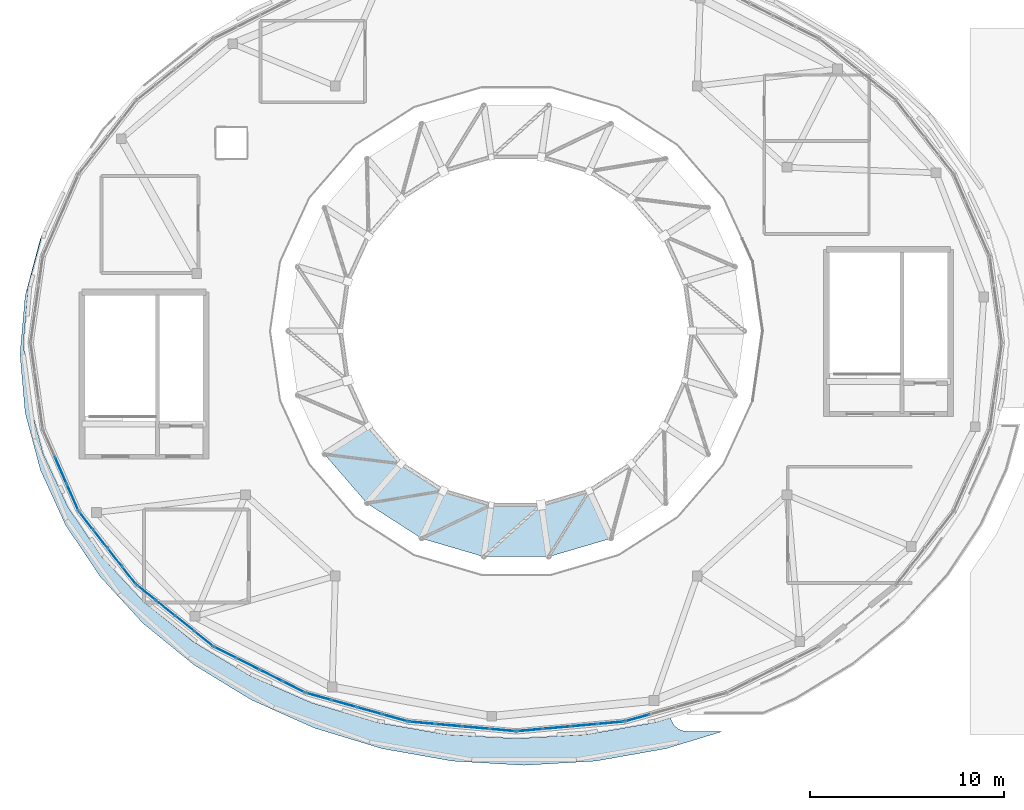
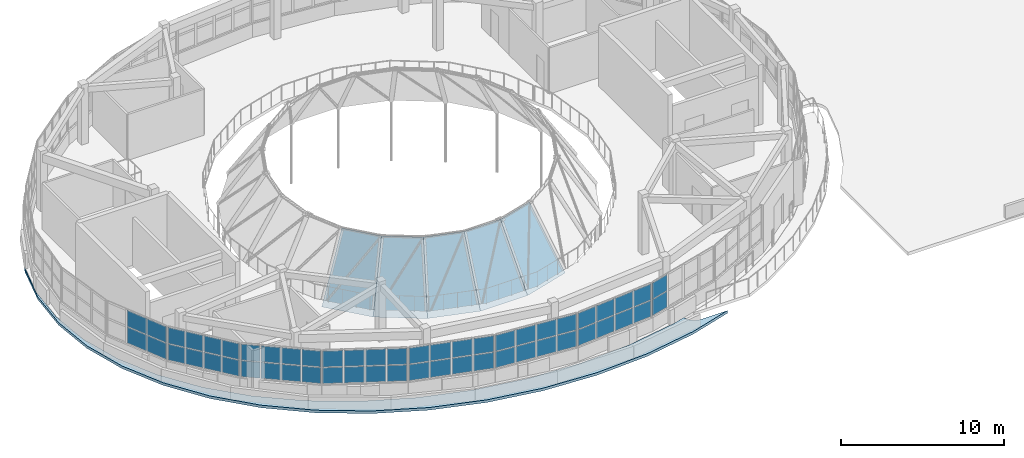
# One storey, part 29 of 38: 59 plates, 1 slab, 8 elements without a shape of their own.
"""IFC4 building model written with IfcOpenShell, lengths in metres."""

from ifc_helpers import new_model, si_unit, direction, frame, origin, origin_2d, place, context, subcontext, project, spatial, polyline, rectangle, outline, extrude, material, layer, layer_set, type_object, element, aggregate, save


model = new_model("IFC4")

# Units and contexts
model_context = context("Model", 3, precision=1e-05, world=origin(), true_north=direction((0.0, 1.0)))
body_context = subcontext(model_context, "Body", "Model", "MODEL_VIEW")
ifc_project = project(units=[si_unit("LENGTHUNIT", "METRE"), si_unit("AREAUNIT", "SQUARE_METRE"), si_unit("VOLUMEUNIT", "CUBIC_METRE"), si_unit("PLANEANGLEUNIT", "RADIAN"), si_unit("MASSUNIT", "GRAM", prefix="KILO")], contexts=[model_context])

# Site, building, storey
site_placement = place(None, origin())
site = spatial("IfcSite", under=ifc_project, at=site_placement, CompositionType="ELEMENT")
building_placement = place(site_placement, origin())
building = spatial("IfcBuilding", under=site, at=building_placement, Name="Pelvatis Terrace Science Centre", CompositionType="ELEMENT")
storey_placement = place(building_placement, frame((0.0, 0.0, 24.300048828125)))
storey = spatial("IfcBuildingStorey", under=building, at=storey_placement, Name="L05", CompositionType="ELEMENT", Elevation=24.300048828125)

# Curtain wall, plates
ifc_material_1 = material(Name="Bronze-anodised aluminium and laminated glass", Category="aluminium")
ifc_layer_1 = layer(ifc_material_1, 0.179931640625)
ifc_layer_set_1 = layer_set([ifc_layer_1], Name="Bronze-anodised aluminium and laminated glass")
curtain_wall_type = type_object("IfcCurtainWallType", Name="CW-RIBBON-A", PredefinedType="NOTDEFINED", material=ifc_layer_set_1)
curtain_wall_1_placement = place(storey_placement, origin())
curtain_wall_1 = element("IfcCurtainWall", 1, at=curtain_wall_1_placement, inside=storey, type_object=curtain_wall_type, Name="Ribbon curtain wall CW-252 (L05)", PredefinedType="NOTDEFINED")
ifc_material_2 = material(Name="Low-e laminated solar-control double glazing", Category="glass")
ifc_layer_2 = layer(ifc_material_2, 0.035888671875)
ifc_layer_set_2 = layer_set([ifc_layer_2], Name="Low-e laminated solar-control double glazing")
plate_type_1 = type_object("IfcPlateType", Name="CWP-IGU-36", PredefinedType="CURTAIN_PANEL", material=ifc_layer_set_2)
plate_1_placement = place(storey_placement, frame((85.704345703125, 78.61962890625, 1.080078125), z_axis=(0.0, 0.0, 1.0), x_axis=(0.400550007911, -0.916274899341, 0.0)))
plate_1 = element("IfcPlate", 2, at=plate_1_placement, type_object=plate_type_1, Name="CW-252 panel 2.1", PredefinedType="CURTAIN_PANEL", context=body_context, shape_type="SweptSolid", body=[
    extrude(rectangle(XDim=1.481689453125, YDim=0.035888671875, at=origin_2d()), origin(), (0.0, 0.0, 1.0), 1.18994140625),
])
plate_2_placement = place(storey_placement, frame((85.704345703125, 78.61962890625, 2.330078125), z_axis=(0.0, 0.0, 1.0), x_axis=(0.400550007911, -0.916274899341, 0.0)))
plate_2 = element("IfcPlate", 3, at=plate_2_placement, type_object=plate_type_1, Name="CW-252 panel 2.2", PredefinedType="CURTAIN_PANEL", context=body_context, shape_type="SweptSolid", body=[
    extrude(rectangle(XDim=1.481689453125, YDim=0.035888671875, at=origin_2d()), origin(), (0.0, 0.0, 1.0), 1.18994140625),
])
plate_3_placement = place(storey_placement, frame((86.31591796875, 77.220703125, 1.080078125), z_axis=(0.0, 0.0, 1.0), x_axis=(0.400550007911, -0.916274899341, 0.0)))
plate_3 = element("IfcPlate", 4, at=plate_3_placement, type_object=plate_type_1, Name="CW-252 panel 3.1", PredefinedType="CURTAIN_PANEL", context=body_context, shape_type="SweptSolid", body=[
    extrude(rectangle(XDim=1.45166015625, YDim=0.035888671875, at=origin_2d()), origin(), (0.0, 0.0, 1.0), 1.18994140625),
])
plate_4_placement = place(storey_placement, frame((86.31591796875, 77.220703125, 2.330078125), z_axis=(0.0, 0.0, 1.0), x_axis=(0.400550007911, -0.916274899341, 0.0)))
plate_4 = element("IfcPlate", 5, at=plate_4_placement, type_object=plate_type_1, Name="CW-252 panel 3.2", PredefinedType="CURTAIN_PANEL", context=body_context, shape_type="SweptSolid", body=[
    extrude(rectangle(XDim=1.45166015625, YDim=0.035888671875, at=origin_2d()), origin(), (0.0, 0.0, 1.0), 1.18994140625),
])
aggregate(curtain_wall_1, [plate_1, plate_2, plate_3, plate_4])

curtain_wall_2_placement = place(storey_placement, origin())
curtain_wall_2 = element("IfcCurtainWall", 6, at=curtain_wall_2_placement, inside=storey, type_object=curtain_wall_type, Name="Ribbon curtain wall CW-253 (L05)", PredefinedType="NOTDEFINED")
plate_5_placement = place(storey_placement, frame((87.012939453125, 76.013671875, 1.080078125), z_axis=(0.0, 0.0, 1.0), x_axis=(0.617492535697, -0.786576740286, 0.0)))
plate_5 = element("IfcPlate", 7, at=plate_5_placement, type_object=plate_type_1, Name="CW-253 panel 1.1", PredefinedType="CURTAIN_PANEL", context=body_context, shape_type="SweptSolid", body=[
    extrude(rectangle(XDim=1.1181640625, YDim=0.035888671875, at=origin_2d()), origin(), (0.0, 0.0, 1.0), 1.18994140625),
])
plate_6_placement = place(storey_placement, frame((87.012939453125, 76.013671875, 2.330078125), z_axis=(0.0, 0.0, 1.0), x_axis=(0.617492535697, -0.786576740286, 0.0)))
plate_6 = element("IfcPlate", 8, at=plate_6_placement, type_object=plate_type_1, Name="CW-253 panel 1.2", PredefinedType="CURTAIN_PANEL", context=body_context, shape_type="SweptSolid", body=[
    extrude(rectangle(XDim=1.1181640625, YDim=0.035888671875, at=origin_2d()), origin(), (0.0, 0.0, 1.0), 1.18994140625),
])
plate_7_placement = place(storey_placement, frame((87.749755859375, 75.074951171875, 1.080078125), z_axis=(0.0, 0.0, 1.0), x_axis=(0.617492535697, -0.786576740286, 0.0)))
plate_7 = element("IfcPlate", 9, at=plate_7_placement, type_object=plate_type_1, Name="CW-253 panel 2.1", PredefinedType="CURTAIN_PANEL", context=body_context, shape_type="SweptSolid", body=[
    extrude(rectangle(XDim=1.148193359375, YDim=0.035888671875, at=origin_2d()), origin(), (0.0, 0.0, 1.0), 1.18994140625),
])
plate_8_placement = place(storey_placement, frame((87.749755859375, 75.074951171875, 2.330078125), z_axis=(0.0, 0.0, 1.0), x_axis=(0.617492535697, -0.786576740286, 0.0)))
plate_8 = element("IfcPlate", 10, at=plate_8_placement, type_object=plate_type_1, Name="CW-253 panel 2.2", PredefinedType="CURTAIN_PANEL", context=body_context, shape_type="SweptSolid", body=[
    extrude(rectangle(XDim=1.148193359375, YDim=0.035888671875, at=origin_2d()), origin(), (0.0, 0.0, 1.0), 1.18994140625),
])
plate_9_placement = place(storey_placement, frame((88.495849609375, 74.12451171875, 1.080078125), z_axis=(0.0, 0.0, 1.0), x_axis=(0.617492535697, -0.786576740286, 0.0)))
plate_9 = element("IfcPlate", 11, at=plate_9_placement, type_object=plate_type_1, Name="CW-253 panel 3.1", PredefinedType="CURTAIN_PANEL", context=body_context, shape_type="SweptSolid", body=[
    extrude(rectangle(XDim=1.148193359375, YDim=0.035888671875, at=origin_2d()), origin(), (0.0, 0.0, 1.0), 1.18994140625),
])
plate_10_placement = place(storey_placement, frame((88.495849609375, 74.12451171875, 2.330078125), z_axis=(0.0, 0.0, 1.0), x_axis=(0.617492535697, -0.786576740286, 0.0)))
plate_10 = element("IfcPlate", 12, at=plate_10_placement, type_object=plate_type_1, Name="CW-253 panel 3.2", PredefinedType="CURTAIN_PANEL", context=body_context, shape_type="SweptSolid", body=[
    extrude(rectangle(XDim=1.148193359375, YDim=0.035888671875, at=origin_2d()), origin(), (0.0, 0.0, 1.0), 1.18994140625),
])
plate_11_placement = place(storey_placement, frame((89.232666015625, 73.18603515625, 1.080078125), z_axis=(0.0, 0.0, 1.0), x_axis=(0.617492535697, -0.786576740286, 0.0)))
plate_11 = element("IfcPlate", 13, at=plate_11_placement, type_object=plate_type_1, Name="CW-253 panel 4.1", PredefinedType="CURTAIN_PANEL", context=body_context, shape_type="SweptSolid", body=[
    extrude(rectangle(XDim=1.1181640625, YDim=0.035888671875, at=origin_2d()), origin(), (0.0, 0.0, 1.0), 1.18994140625),
])
plate_12_placement = place(storey_placement, frame((89.232666015625, 73.18603515625, 2.330078125), z_axis=(0.0, 0.0, 1.0), x_axis=(0.617492535697, -0.786576740286, 0.0)))
plate_12 = element("IfcPlate", 14, at=plate_12_placement, type_object=plate_type_1, Name="CW-253 panel 4.2", PredefinedType="CURTAIN_PANEL", context=body_context, shape_type="SweptSolid", body=[
    extrude(rectangle(XDim=1.1181640625, YDim=0.035888671875, at=origin_2d()), origin(), (0.0, 0.0, 1.0), 1.18994140625),
])
aggregate(curtain_wall_2, [plate_5, plate_6, plate_7, plate_8, plate_9, plate_10, plate_11, plate_12])

curtain_wall_3_placement = place(storey_placement, origin())
curtain_wall_3 = element("IfcCurtainWall", 15, at=curtain_wall_3_placement, inside=storey, type_object=curtain_wall_type, Name="Ribbon curtain wall CW-254 (L05)", PredefinedType="NOTDEFINED")
plate_13_placement = place(storey_placement, frame((90.12255859375, 72.292724609375, 1.080078125), z_axis=(0.0, 0.0, 1.0), x_axis=(0.780724767005, -0.62487505806, 0.0)))
plate_13 = element("IfcPlate", 16, at=plate_13_placement, type_object=plate_type_1, Name="CW-254 panel 1.1", PredefinedType="CURTAIN_PANEL", context=body_context, shape_type="SweptSolid", body=[
    extrude(rectangle(XDim=1.18017578125, YDim=0.035888671875, at=origin_2d()), origin(), (0.0, 0.0, 1.0), 1.18994140625),
])
plate_14_placement = place(storey_placement, frame((90.12255859375, 72.292724609375, 2.330078125), z_axis=(0.0, 0.0, 1.0), x_axis=(0.780724767005, -0.62487505806, 0.0)))
plate_14 = element("IfcPlate", 17, at=plate_14_placement, type_object=plate_type_1, Name="CW-254 panel 1.2", PredefinedType="CURTAIN_PANEL", context=body_context, shape_type="SweptSolid", body=[
    extrude(rectangle(XDim=1.18017578125, YDim=0.035888671875, at=origin_2d()), origin(), (0.0, 0.0, 1.0), 1.18994140625),
])
plate_15_placement = place(storey_placement, frame((91.1025390625, 71.508544921875, 1.080078125), z_axis=(0.0, 0.0, 1.0), x_axis=(0.780724767005, -0.62487505806, 0.0)))
plate_15 = element("IfcPlate", 18, at=plate_15_placement, type_object=plate_type_1, Name="CW-254 panel 2.1", PredefinedType="CURTAIN_PANEL", context=body_context, shape_type="SweptSolid", body=[
    extrude(rectangle(XDim=1.210205078125, YDim=0.035888671875, at=origin_2d()), origin(), (0.0, 0.0, 1.0), 1.18994140625),
])
plate_16_placement = place(storey_placement, frame((91.1025390625, 71.508544921875, 2.330078125), z_axis=(0.0, 0.0, 1.0), x_axis=(0.780724767005, -0.62487505806, 0.0)))
plate_16 = element("IfcPlate", 19, at=plate_16_placement, type_object=plate_type_1, Name="CW-254 panel 2.2", PredefinedType="CURTAIN_PANEL", context=body_context, shape_type="SweptSolid", body=[
    extrude(rectangle(XDim=1.210205078125, YDim=0.035888671875, at=origin_2d()), origin(), (0.0, 0.0, 1.0), 1.18994140625),
])
plate_17_placement = place(storey_placement, frame((92.09423828125, 70.71484375, 1.080078125), z_axis=(0.0, 0.0, 1.0), x_axis=(0.780724767005, -0.62487505806, 0.0)))
plate_17 = element("IfcPlate", 20, at=plate_17_placement, type_object=plate_type_1, Name="CW-254 panel 3.1", PredefinedType="CURTAIN_PANEL", context=body_context, shape_type="SweptSolid", body=[
    extrude(rectangle(XDim=1.210205078125, YDim=0.035888671875, at=origin_2d()), origin(), (0.0, 0.0, 1.0), 1.18994140625),
])
plate_18_placement = place(storey_placement, frame((92.09423828125, 70.71484375, 2.330078125), z_axis=(0.0, 0.0, 1.0), x_axis=(0.780724767005, -0.62487505806, 0.0)))
plate_18 = element("IfcPlate", 21, at=plate_18_placement, type_object=plate_type_1, Name="CW-254 panel 3.2", PredefinedType="CURTAIN_PANEL", context=body_context, shape_type="SweptSolid", body=[
    extrude(rectangle(XDim=1.210205078125, YDim=0.035888671875, at=origin_2d()), origin(), (0.0, 0.0, 1.0), 1.18994140625),
])
plate_19_placement = place(storey_placement, frame((93.073974609375, 69.930419921875, 1.080078125), z_axis=(0.0, 0.0, 1.0), x_axis=(0.780724767005, -0.62487505806, 0.0)))
plate_19 = element("IfcPlate", 22, at=plate_19_placement, type_object=plate_type_1, Name="CW-254 panel 4.1", PredefinedType="CURTAIN_PANEL", context=body_context, shape_type="SweptSolid", body=[
    extrude(rectangle(XDim=1.18017578125, YDim=0.035888671875, at=origin_2d()), origin(), (0.0, 0.0, 1.0), 1.18994140625),
])
plate_20_placement = place(storey_placement, frame((93.073974609375, 69.930419921875, 2.330078125), z_axis=(0.0, 0.0, 1.0), x_axis=(0.780724767005, -0.62487505806, 0.0)))
plate_20 = element("IfcPlate", 23, at=plate_20_placement, type_object=plate_type_1, Name="CW-254 panel 4.2", PredefinedType="CURTAIN_PANEL", context=body_context, shape_type="SweptSolid", body=[
    extrude(rectangle(XDim=1.18017578125, YDim=0.035888671875, at=origin_2d()), origin(), (0.0, 0.0, 1.0), 1.18994140625),
])
aggregate(curtain_wall_3, [plate_13, plate_14, plate_15, plate_16, plate_17, plate_18, plate_19, plate_20])

curtain_wall_4_placement = place(storey_placement, origin())
curtain_wall_4 = element("IfcCurtainWall", 24, at=curtain_wall_4_placement, inside=storey, type_object=curtain_wall_type, Name="Ribbon curtain wall CW-255 (L05)", PredefinedType="NOTDEFINED")
plate_21_placement = place(storey_placement, frame((94.188720703125, 69.218994140625, 1.080078125), z_axis=(0.0, 0.0, 1.0), x_axis=(0.893378933741, -0.449303995918, 0.0)))
plate_21 = element("IfcPlate", 25, at=plate_21_placement, type_object=plate_type_1, Name="CW-255 panel 1.1", PredefinedType="CURTAIN_PANEL", context=body_context, shape_type="SweptSolid", body=[
    extrude(rectangle(XDim=1.239013671875, YDim=0.035888671875, at=origin_2d()), origin(), (0.0, 0.0, 1.0), 1.18994140625),
])
plate_22_placement = place(storey_placement, frame((94.188720703125, 69.218994140625, 2.330078125), z_axis=(0.0, 0.0, 1.0), x_axis=(0.893378933741, -0.449303995918, 0.0)))
plate_22 = element("IfcPlate", 26, at=plate_22_placement, type_object=plate_type_1, Name="CW-255 panel 1.2", PredefinedType="CURTAIN_PANEL", context=body_context, shape_type="SweptSolid", body=[
    extrude(rectangle(XDim=1.239013671875, YDim=0.035888671875, at=origin_2d()), origin(), (0.0, 0.0, 1.0), 1.18994140625),
])
plate_23_placement = place(storey_placement, frame((95.36279296875, 68.62841796875, 1.080078125), z_axis=(0.0, 0.0, 1.0), x_axis=(0.893378933741, -0.449303995918, 0.0)))
plate_23 = element("IfcPlate", 27, at=plate_23_placement, type_object=plate_type_1, Name="CW-255 panel 2.1", PredefinedType="CURTAIN_PANEL", context=body_context, shape_type="SweptSolid", body=[
    extrude(rectangle(XDim=1.26904296875, YDim=0.035888671875, at=origin_2d()), origin(), (0.0, 0.0, 1.0), 1.18994140625),
])
plate_24_placement = place(storey_placement, frame((95.36279296875, 68.62841796875, 2.330078125), z_axis=(0.0, 0.0, 1.0), x_axis=(0.893378933741, -0.449303995918, 0.0)))
plate_24 = element("IfcPlate", 28, at=plate_24_placement, type_object=plate_type_1, Name="CW-255 panel 2.2", PredefinedType="CURTAIN_PANEL", context=body_context, shape_type="SweptSolid", body=[
    extrude(rectangle(XDim=1.26904296875, YDim=0.035888671875, at=origin_2d()), origin(), (0.0, 0.0, 1.0), 1.18994140625),
])
plate_25_placement = place(storey_placement, frame((96.550048828125, 68.03125, 1.080078125), z_axis=(0.0, 0.0, 1.0), x_axis=(0.893378933741, -0.449303995918, 0.0)))
plate_25 = element("IfcPlate", 29, at=plate_25_placement, type_object=plate_type_1, Name="CW-255 panel 3.1", PredefinedType="CURTAIN_PANEL", context=body_context, shape_type="SweptSolid", body=[
    extrude(rectangle(XDim=1.26904296875, YDim=0.035888671875, at=origin_2d()), origin(), (0.0, 0.0, 1.0), 1.18994140625),
])
plate_26_placement = place(storey_placement, frame((96.550048828125, 68.03125, 2.330078125), z_axis=(0.0, 0.0, 1.0), x_axis=(0.893378933741, -0.449303995918, 0.0)))
plate_26 = element("IfcPlate", 30, at=plate_26_placement, type_object=plate_type_1, Name="CW-255 panel 3.2", PredefinedType="CURTAIN_PANEL", context=body_context, shape_type="SweptSolid", body=[
    extrude(rectangle(XDim=1.26904296875, YDim=0.035888671875, at=origin_2d()), origin(), (0.0, 0.0, 1.0), 1.18994140625),
])
plate_27_placement = place(storey_placement, frame((97.72412109375, 67.44091796875, 1.080078125), z_axis=(0.0, 0.0, 1.0), x_axis=(0.893378933741, -0.449303995918, 0.0)))
plate_27 = element("IfcPlate", 31, at=plate_27_placement, type_object=plate_type_1, Name="CW-255 panel 4.1", PredefinedType="CURTAIN_PANEL", context=body_context, shape_type="SweptSolid", body=[
    extrude(rectangle(XDim=1.239013671875, YDim=0.035888671875, at=origin_2d()), origin(), (0.0, 0.0, 1.0), 1.18994140625),
])
plate_28_placement = place(storey_placement, frame((97.72412109375, 67.44091796875, 2.330078125), z_axis=(0.0, 0.0, 1.0), x_axis=(0.893378933741, -0.449303995918, 0.0)))
plate_28 = element("IfcPlate", 32, at=plate_28_placement, type_object=plate_type_1, Name="CW-255 panel 4.2", PredefinedType="CURTAIN_PANEL", context=body_context, shape_type="SweptSolid", body=[
    extrude(rectangle(XDim=1.239013671875, YDim=0.035888671875, at=origin_2d()), origin(), (0.0, 0.0, 1.0), 1.18994140625),
])
aggregate(curtain_wall_4, [plate_21, plate_22, plate_23, plate_24, plate_25, plate_26, plate_27, plate_28])

curtain_wall_5_placement = place(storey_placement, origin())
curtain_wall_5 = element("IfcCurtainWall", 33, at=curtain_wall_5_placement, inside=storey, type_object=curtain_wall_type, Name="Ribbon curtain wall CW-256 (L05)", PredefinedType="NOTDEFINED")
plate_29_placement = place(storey_placement, frame((99.007568359375, 66.9462890625, 1.080078125), z_axis=(0.0, 0.0, 1.0), x_axis=(0.962945884526, -0.269694685663, 0.0)))
plate_29 = element("IfcPlate", 34, at=plate_29_placement, type_object=plate_type_1, Name="CW-256 panel 1.1", PredefinedType="CURTAIN_PANEL", context=body_context, shape_type="SweptSolid", body=[
    extrude(rectangle(XDim=1.28466796875, YDim=0.035888671875, at=origin_2d()), origin(), (0.0, 0.0, 1.0), 1.18994140625),
])
plate_30_placement = place(storey_placement, frame((99.007568359375, 66.9462890625, 2.330078125), z_axis=(0.0, 0.0, 1.0), x_axis=(0.962945884526, -0.269694685663, 0.0)))
plate_30 = element("IfcPlate", 35, at=plate_30_placement, type_object=plate_type_1, Name="CW-256 panel 1.2", PredefinedType="CURTAIN_PANEL", context=body_context, shape_type="SweptSolid", body=[
    extrude(rectangle(XDim=1.28466796875, YDim=0.035888671875, at=origin_2d()), origin(), (0.0, 0.0, 1.0), 1.18994140625),
])
plate_31_placement = place(storey_placement, frame((100.316650390625, 66.57958984375, 1.080078125), z_axis=(0.0, 0.0, 1.0), x_axis=(0.962945884526, -0.269694685663, 0.0)))
plate_31 = element("IfcPlate", 36, at=plate_31_placement, type_object=plate_type_1, Name="CW-256 panel 2.1", PredefinedType="CURTAIN_PANEL", context=body_context, shape_type="SweptSolid", body=[
    extrude(rectangle(XDim=1.314697265625, YDim=0.035888671875, at=origin_2d()), origin(), (0.0, 0.0, 1.0), 1.18994140625),
])
plate_32_placement = place(storey_placement, frame((100.316650390625, 66.57958984375, 2.330078125), z_axis=(0.0, 0.0, 1.0), x_axis=(0.962945884526, -0.269694685663, 0.0)))
plate_32 = element("IfcPlate", 37, at=plate_32_placement, type_object=plate_type_1, Name="CW-256 panel 2.2", PredefinedType="CURTAIN_PANEL", context=body_context, shape_type="SweptSolid", body=[
    extrude(rectangle(XDim=1.314697265625, YDim=0.035888671875, at=origin_2d()), origin(), (0.0, 0.0, 1.0), 1.18994140625),
])
plate_33_placement = place(storey_placement, frame((101.640380859375, 66.208740234375, 1.080078125), z_axis=(0.0, 0.0, 1.0), x_axis=(0.962945884526, -0.269694685663, 0.0)))
plate_33 = element("IfcPlate", 38, at=plate_33_placement, type_object=plate_type_1, Name="CW-256 panel 3.1", PredefinedType="CURTAIN_PANEL", context=body_context, shape_type="SweptSolid", body=[
    extrude(rectangle(XDim=1.314697265625, YDim=0.035888671875, at=origin_2d()), origin(), (0.0, 0.0, 1.0), 1.18994140625),
])
plate_34_placement = place(storey_placement, frame((101.640380859375, 66.208740234375, 2.330078125), z_axis=(0.0, 0.0, 1.0), x_axis=(0.962945884526, -0.269694685663, 0.0)))
plate_34 = element("IfcPlate", 39, at=plate_34_placement, type_object=plate_type_1, Name="CW-256 panel 3.2", PredefinedType="CURTAIN_PANEL", context=body_context, shape_type="SweptSolid", body=[
    extrude(rectangle(XDim=1.314697265625, YDim=0.035888671875, at=origin_2d()), origin(), (0.0, 0.0, 1.0), 1.18994140625),
])
plate_35_placement = place(storey_placement, frame((102.94970703125, 65.842041015625, 1.080078125), z_axis=(0.0, 0.0, 1.0), x_axis=(0.962945884526, -0.269694685663, 0.0)))
plate_35 = element("IfcPlate", 40, at=plate_35_placement, type_object=plate_type_1, Name="CW-256 panel 4.1", PredefinedType="CURTAIN_PANEL", context=body_context, shape_type="SweptSolid", body=[
    extrude(rectangle(XDim=1.28466796875, YDim=0.035888671875, at=origin_2d()), origin(), (0.0, 0.0, 1.0), 1.18994140625),
])
plate_36_placement = place(storey_placement, frame((102.94970703125, 65.842041015625, 2.330078125), z_axis=(0.0, 0.0, 1.0), x_axis=(0.962945884526, -0.269694685663, 0.0)))
plate_36 = element("IfcPlate", 41, at=plate_36_placement, type_object=plate_type_1, Name="CW-256 panel 4.2", PredefinedType="CURTAIN_PANEL", context=body_context, shape_type="SweptSolid", body=[
    extrude(rectangle(XDim=1.28466796875, YDim=0.035888671875, at=origin_2d()), origin(), (0.0, 0.0, 1.0), 1.18994140625),
])
aggregate(curtain_wall_5, [plate_29, plate_30, plate_31, plate_32, plate_33, plate_34, plate_35, plate_36])

curtain_wall_6_placement = place(storey_placement, origin())
curtain_wall_6 = element("IfcCurtainWall", 42, at=curtain_wall_6_placement, inside=storey, type_object=curtain_wall_type, Name="Ribbon curtain wall CW-257 (L05)", PredefinedType="NOTDEFINED")
plate_37_placement = place(storey_placement, frame((104.337646484375, 65.588623046875, 1.080078125), z_axis=(0.0, 0.0, 1.0), x_axis=(0.995957975945, -0.089820432814, 0.0)))
plate_37 = element("IfcPlate", 43, at=plate_37_placement, type_object=plate_type_1, Name="CW-257 panel 1.1", PredefinedType="CURTAIN_PANEL", context=body_context, shape_type="SweptSolid", body=[
    extrude(rectangle(XDim=1.30908203125, YDim=0.035888671875, at=origin_2d()), origin(), (0.0, 0.0, 1.0), 1.18994140625),
])
plate_38_placement = place(storey_placement, frame((104.337646484375, 65.588623046875, 2.330078125), z_axis=(0.0, 0.0, 1.0), x_axis=(0.995957975945, -0.089820432814, 0.0)))
plate_38 = element("IfcPlate", 44, at=plate_38_placement, type_object=plate_type_1, Name="CW-257 panel 1.2", PredefinedType="CURTAIN_PANEL", context=body_context, shape_type="SweptSolid", body=[
    extrude(rectangle(XDim=1.30908203125, YDim=0.035888671875, at=origin_2d()), origin(), (0.0, 0.0, 1.0), 1.18994140625),
])
plate_39_placement = place(storey_placement, frame((105.71630859375, 65.464111328125, 1.080078125), z_axis=(0.0, 0.0, 1.0), x_axis=(0.995957975945, -0.089820432814, 0.0)))
plate_39 = element("IfcPlate", 45, at=plate_39_placement, type_object=plate_type_1, Name="CW-257 panel 2.1", PredefinedType="CURTAIN_PANEL", context=body_context, shape_type="SweptSolid", body=[
    extrude(rectangle(XDim=1.339111328125, YDim=0.035888671875, at=origin_2d()), origin(), (0.0, 0.0, 1.0), 1.18994140625),
])
plate_40_placement = place(storey_placement, frame((105.71630859375, 65.464111328125, 2.330078125), z_axis=(0.0, 0.0, 1.0), x_axis=(0.995957975945, -0.089820432814, 0.0)))
plate_40 = element("IfcPlate", 46, at=plate_40_placement, type_object=plate_type_1, Name="CW-257 panel 2.2", PredefinedType="CURTAIN_PANEL", context=body_context, shape_type="SweptSolid", body=[
    extrude(rectangle(XDim=1.339111328125, YDim=0.035888671875, at=origin_2d()), origin(), (0.0, 0.0, 1.0), 1.18994140625),
])
plate_41_placement = place(storey_placement, frame((107.109619140625, 65.338623046875, 1.080078125), z_axis=(0.0, 0.0, 1.0), x_axis=(0.995957975945, -0.089820432814, 0.0)))
plate_41 = element("IfcPlate", 47, at=plate_41_placement, type_object=plate_type_1, Name="CW-257 panel 3.1", PredefinedType="CURTAIN_PANEL", context=body_context, shape_type="SweptSolid", body=[
    extrude(rectangle(XDim=1.339111328125, YDim=0.035888671875, at=origin_2d()), origin(), (0.0, 0.0, 1.0), 1.18994140625),
])
plate_42_placement = place(storey_placement, frame((107.109619140625, 65.338623046875, 2.330078125), z_axis=(0.0, 0.0, 1.0), x_axis=(0.995957975945, -0.089820432814, 0.0)))
plate_42 = element("IfcPlate", 48, at=plate_42_placement, type_object=plate_type_1, Name="CW-257 panel 3.2", PredefinedType="CURTAIN_PANEL", context=body_context, shape_type="SweptSolid", body=[
    extrude(rectangle(XDim=1.339111328125, YDim=0.035888671875, at=origin_2d()), origin(), (0.0, 0.0, 1.0), 1.18994140625),
])
plate_43_placement = place(storey_placement, frame((108.48828125, 65.214111328125, 1.080078125), z_axis=(0.0, 0.0, 1.0), x_axis=(0.995957975945, -0.089820432814, 0.0)))
plate_43 = element("IfcPlate", 49, at=plate_43_placement, type_object=plate_type_1, Name="CW-257 panel 4.1", PredefinedType="CURTAIN_PANEL", context=body_context, shape_type="SweptSolid", body=[
    extrude(rectangle(XDim=1.30908203125, YDim=0.035888671875, at=origin_2d()), origin(), (0.0, 0.0, 1.0), 1.18994140625),
])
plate_44_placement = place(storey_placement, frame((108.48828125, 65.214111328125, 2.330078125), z_axis=(0.0, 0.0, 1.0), x_axis=(0.995957975945, -0.089820432814, 0.0)))
plate_44 = element("IfcPlate", 50, at=plate_44_placement, type_object=plate_type_1, Name="CW-257 panel 4.2", PredefinedType="CURTAIN_PANEL", context=body_context, shape_type="SweptSolid", body=[
    extrude(rectangle(XDim=1.30908203125, YDim=0.035888671875, at=origin_2d()), origin(), (0.0, 0.0, 1.0), 1.18994140625),
])
aggregate(curtain_wall_6, [plate_37, plate_38, plate_39, plate_40, plate_41, plate_42, plate_43, plate_44])

curtain_wall_7_placement = place(storey_placement, origin())
curtain_wall_7 = element("IfcCurtainWall", 51, at=curtain_wall_7_placement, inside=storey, type_object=curtain_wall_type, Name="Ribbon curtain wall CW-258 (L05)", PredefinedType="NOTDEFINED")
plate_45_placement = place(storey_placement, frame((109.91162109375, 65.214111328125, 1.080078125), z_axis=(0.0, 0.0, 1.0), x_axis=(0.995957975945, 0.089820432814, 0.0)))
plate_45 = element("IfcPlate", 52, at=plate_45_placement, type_object=plate_type_1, Name="CW-258 panel 1.1", PredefinedType="CURTAIN_PANEL", context=body_context, shape_type="SweptSolid", body=[
    extrude(rectangle(XDim=1.30908203125, YDim=0.035888671875, at=origin_2d()), origin(), (0.0, 0.0, 1.0), 1.18994140625),
])
plate_46_placement = place(storey_placement, frame((109.91162109375, 65.214111328125, 2.330078125), z_axis=(0.0, 0.0, 1.0), x_axis=(0.995957975945, 0.089820432814, 0.0)))
plate_46 = element("IfcPlate", 53, at=plate_46_placement, type_object=plate_type_1, Name="CW-258 panel 1.2", PredefinedType="CURTAIN_PANEL", context=body_context, shape_type="SweptSolid", body=[
    extrude(rectangle(XDim=1.30908203125, YDim=0.035888671875, at=origin_2d()), origin(), (0.0, 0.0, 1.0), 1.18994140625),
])
plate_47_placement = place(storey_placement, frame((111.290283203125, 65.338623046875, 1.080078125), z_axis=(0.0, 0.0, 1.0), x_axis=(0.995957975945, 0.089820432814, 0.0)))
plate_47 = element("IfcPlate", 54, at=plate_47_placement, type_object=plate_type_1, Name="CW-258 panel 2.1", PredefinedType="CURTAIN_PANEL", context=body_context, shape_type="SweptSolid", body=[
    extrude(rectangle(XDim=1.339111328125, YDim=0.035888671875, at=origin_2d()), origin(), (0.0, 0.0, 1.0), 1.18994140625),
])
plate_48_placement = place(storey_placement, frame((111.290283203125, 65.338623046875, 2.330078125), z_axis=(0.0, 0.0, 1.0), x_axis=(0.995957975945, 0.089820432814, 0.0)))
plate_48 = element("IfcPlate", 55, at=plate_48_placement, type_object=plate_type_1, Name="CW-258 panel 2.2", PredefinedType="CURTAIN_PANEL", context=body_context, shape_type="SweptSolid", body=[
    extrude(rectangle(XDim=1.339111328125, YDim=0.035888671875, at=origin_2d()), origin(), (0.0, 0.0, 1.0), 1.18994140625),
])
plate_49_placement = place(storey_placement, frame((112.683837890625, 65.464111328125, 1.080078125), z_axis=(0.0, 0.0, 1.0), x_axis=(0.995957975945, 0.089820432814, 0.0)))
plate_49 = element("IfcPlate", 56, at=plate_49_placement, type_object=plate_type_1, Name="CW-258 panel 3.1", PredefinedType="CURTAIN_PANEL", context=body_context, shape_type="SweptSolid", body=[
    extrude(rectangle(XDim=1.339111328125, YDim=0.035888671875, at=origin_2d()), origin(), (0.0, 0.0, 1.0), 1.18994140625),
])
plate_50_placement = place(storey_placement, frame((112.683837890625, 65.464111328125, 2.330078125), z_axis=(0.0, 0.0, 1.0), x_axis=(0.995957975945, 0.089820432814, 0.0)))
plate_50 = element("IfcPlate", 57, at=plate_50_placement, type_object=plate_type_1, Name="CW-258 panel 3.2", PredefinedType="CURTAIN_PANEL", context=body_context, shape_type="SweptSolid", body=[
    extrude(rectangle(XDim=1.339111328125, YDim=0.035888671875, at=origin_2d()), origin(), (0.0, 0.0, 1.0), 1.18994140625),
])
plate_51_placement = place(storey_placement, frame((114.0625, 65.588623046875, 1.080078125), z_axis=(0.0, 0.0, 1.0), x_axis=(0.995957975945, 0.089820432814, 0.0)))
plate_51 = element("IfcPlate", 58, at=plate_51_placement, type_object=plate_type_1, Name="CW-258 panel 4.1", PredefinedType="CURTAIN_PANEL", context=body_context, shape_type="SweptSolid", body=[
    extrude(rectangle(XDim=1.30908203125, YDim=0.035888671875, at=origin_2d()), origin(), (0.0, 0.0, 1.0), 1.18994140625),
])
plate_52_placement = place(storey_placement, frame((114.0625, 65.588623046875, 2.330078125), z_axis=(0.0, 0.0, 1.0), x_axis=(0.995957975945, 0.089820432814, 0.0)))
plate_52 = element("IfcPlate", 59, at=plate_52_placement, type_object=plate_type_1, Name="CW-258 panel 4.2", PredefinedType="CURTAIN_PANEL", context=body_context, shape_type="SweptSolid", body=[
    extrude(rectangle(XDim=1.30908203125, YDim=0.035888671875, at=origin_2d()), origin(), (0.0, 0.0, 1.0), 1.18994140625),
])
aggregate(curtain_wall_7, [plate_45, plate_46, plate_47, plate_48, plate_49, plate_50, plate_51, plate_52])

curtain_wall_8_placement = place(storey_placement, origin())
curtain_wall_8 = element("IfcCurtainWall", 60, at=curtain_wall_8_placement, inside=storey, type_object=curtain_wall_type, Name="Ribbon curtain wall CW-259 (L05)", PredefinedType="NOTDEFINED")
plate_53_placement = place(storey_placement, frame((115.450439453125, 65.842041015625, 1.080078125), z_axis=(0.0, 0.0, 1.0), x_axis=(0.962945884526, 0.269694685663, 0.0)))
plate_53 = element("IfcPlate", 61, at=plate_53_placement, type_object=plate_type_1, Name="CW-259 panel 1.1", PredefinedType="CURTAIN_PANEL", context=body_context, shape_type="SweptSolid", body=[
    extrude(rectangle(XDim=1.28466796875, YDim=0.035888671875, at=origin_2d()), origin(), (0.0, 0.0, 1.0), 1.18994140625),
])
plate_54_placement = place(storey_placement, frame((115.450439453125, 65.842041015625, 2.330078125), z_axis=(0.0, 0.0, 1.0), x_axis=(0.962945884526, 0.269694685663, 0.0)))
plate_54 = element("IfcPlate", 62, at=plate_54_placement, type_object=plate_type_1, Name="CW-259 panel 1.2", PredefinedType="CURTAIN_PANEL", context=body_context, shape_type="SweptSolid", body=[
    extrude(rectangle(XDim=1.28466796875, YDim=0.035888671875, at=origin_2d()), origin(), (0.0, 0.0, 1.0), 1.18994140625),
])
aggregate(curtain_wall_8, [plate_53, plate_54])

# Plates
ifc_material_3 = material(Name="Bronze-patinated standing-seam titanium-zinc sheet", Category="steel")
ifc_layer_3 = layer(ifc_material_3, 0.013916015625)
ifc_layer_set_3 = layer_set([ifc_layer_3], Name="Bronze-patinated standing-seam titanium-zinc sheet")
plate_type_2 = type_object("IfcPlateType", Name="PLT-DOM-SH14", PredefinedType="SHEET", material=ifc_layer_set_3)
plate_55_placement = place(storey_placement, frame((99.30419921875, 79.4404296875, -1.1845703125), z_axis=(-0.639260883707, -0.553914626551, 0.533408013677), x_axis=(0.65485299445, -0.755756280581, -4.788062e-06)))
element("IfcPlate", 63, at=plate_55_placement, inside=storey, type_object=plate_type_2, Name="Planetarium dome shell panel 2.14", PredefinedType="SHEET", context=body_context, shape_type="SweptSolid", body=[
    extrude(outline(polyline([(0.0, 0.0), (3.34830287875313, 0.0), (2.9639894496487225, 5.009491522481065), (0.3841426776003214, 5.009457965610789), (0.0, 0.0)])), origin(), (0.0, 0.0, -1.0), 0.013916015625),
])
plate_56_placement = place(storey_placement, frame((101.496826171875, 76.909912109375, -1.1845703125), z_axis=(-0.457306563475, -0.71158252956, 0.5334051093), x_axis=(0.841257023365, -0.540635385936, 1.0616433e-05)))
element("IfcPlate", 64, at=plate_56_placement, inside=storey, type_object=plate_type_2, Name="Planetarium dome shell panel 2.15", PredefinedType="SHEET", context=body_context, shape_type="SweptSolid", body=[
    extrude(outline(polyline([(0.0, 0.0), (3.3481086498761634, 0.0), (2.96392091925635, 5.009426697573779), (0.38418858513896154, 5.0095010982243835), (0.0, 0.0)])), origin(), (0.0, 0.0, -1.0), 0.013916015625),
])
plate_57_placement = place(storey_placement, frame((104.3134765625, 75.099853515625, -1.1845703125), z_axis=(-0.238318428194, -0.811592518878, 0.533405952427), x_axis=(0.959487323361, -0.281751799016, -7.764228e-06)))
element("IfcPlate", 65, at=plate_57_placement, inside=storey, type_object=plate_type_2, Name="Planetarium dome shell panel 2.16", PredefinedType="SHEET", context=body_context, shape_type="SweptSolid", body=[
    extrude(outline(polyline([(0.0, 0.0), (3.3480525273890005, 5.551115123125783e-17), (2.9638544929151673, 5.009494252043309), (0.38401633929444096, 5.009439839337751), (0.0, 0.0)])), origin(), (0.0, 0.0, -1.0), 0.013916015625),
])
plate_58_placement = place(storey_placement, frame((107.52587890625, 74.156494140625, -1.1845703125), z_axis=(0.0, -0.845855812902, 0.533411608217), x_axis=(1.0, 0.0, 0.0)))
element("IfcPlate", 66, at=plate_58_placement, inside=storey, type_object=plate_type_2, Name="Planetarium dome shell panel 2.17", PredefinedType="SHEET", context=body_context, shape_type="SweptSolid", body=[
    extrude(outline(polyline([(0.0, 0.0), (3.34814453125, 0.0), (2.964111328125, 5.009488169105099), (0.38427734375, 5.009488169105099), (0.0, 0.0)])), origin(), (0.0, 0.0, -1.0), 0.013916015625),
])
plate_59_placement = place(storey_placement, frame((110.8740234375, 74.156494140625, -1.1845703125), z_axis=(0.238318428194, -0.811592518878, 0.533405952427), x_axis=(0.959488970339, 0.281746190383, -1.505315e-06)))
element("IfcPlate", 67, at=plate_59_placement, inside=storey, type_object=plate_type_2, Name="Planetarium dome shell panel 2.18", PredefinedType="SHEET", context=body_context, shape_type="SweptSolid", body=[
    extrude(outline(polyline([(0.0, 0.0), (3.34828677742486, 1.1102230246251565e-16), (2.9639812908252794, 5.009472321104896), (0.384377387000069, 5.009461771665707), (0.0, 0.0)])), origin(), (0.0, 0.0, -1.0), 0.013916015625),
])

# Slab
ifc_material_4 = material(Name="Concrete C35/45", Category="concrete")
ifc_layer_4 = layer(ifc_material_4, 0.196044921875)
ifc_layer_set_4 = layer_set([ifc_layer_4], Name="Concrete C35/45")
slab_type = type_object("IfcSlabType", Name="SLB-ROOF-196", PredefinedType="ROOF", material=ifc_layer_set_4)
slab_placement = place(storey_placement, frame((0.0, 0.0, -0.196044921875)))
element("IfcSlab", 68, at=slab_placement, inside=storey, type_object=slab_type, Name="L05 Observatory spiral step collar roof", PredefinedType="ROOF", context=body_context, shape_type="SweptSolid", body=[
    extrude(outline(polyline([(116.925048828125, 64.2587890625), (113.30029296875, 63.61572265625), (109.60009765625, 63.39990234375), (105.89990234375, 63.61572265625), (102.27490234375, 64.2587890625), (98.79931640625, 65.31591796875), (95.543212890625, 66.765380859375), (92.573486328125, 68.578125), (89.950439453125, 70.717041015625), (87.727294921875, 73.138427734375), (85.94970703125, 75.793212890625), (84.6533203125, 78.627197265625), (83.864501953125, 81.5830078125), (83.60009765625, 84.60009765625), (83.864501953125, 87.6171875), (84.6533203125, 90.57275390625), (84.784423828125, 90.859619140625), (84.038818359375, 88.106689453125), (83.780029296875, 85.199951171875), (84.038818359375, 82.293212890625), (84.8095703125, 79.447509765625), (86.078857421875, 76.71435546875), (87.816650390625, 74.158447265625), (89.991455078125, 71.8251953125), (92.55615234375, 69.765625), (95.459716796875, 68.02001953125), (98.642822265625, 66.624267578125), (102.04052734375, 65.606689453125), (105.583984375, 64.987548828125), (109.198974609375, 64.780029296875), (112.818115234375, 64.98779296875), (116.359375, 65.606689453125), (117.164306640625, 65.84765625), (117.214599609375, 65.6748046875), (117.343017578125, 65.460693359375), (117.52783203125, 65.293212890625), (117.75341796875, 65.1865234375), (118.0, 65.14990234375), (119.855712890625, 65.14990234375), (116.925048828125, 64.2587890625)])), origin(), (0.0, 0.0, 1.0), 0.196044921875),
])

save(model, "model.ifc")
